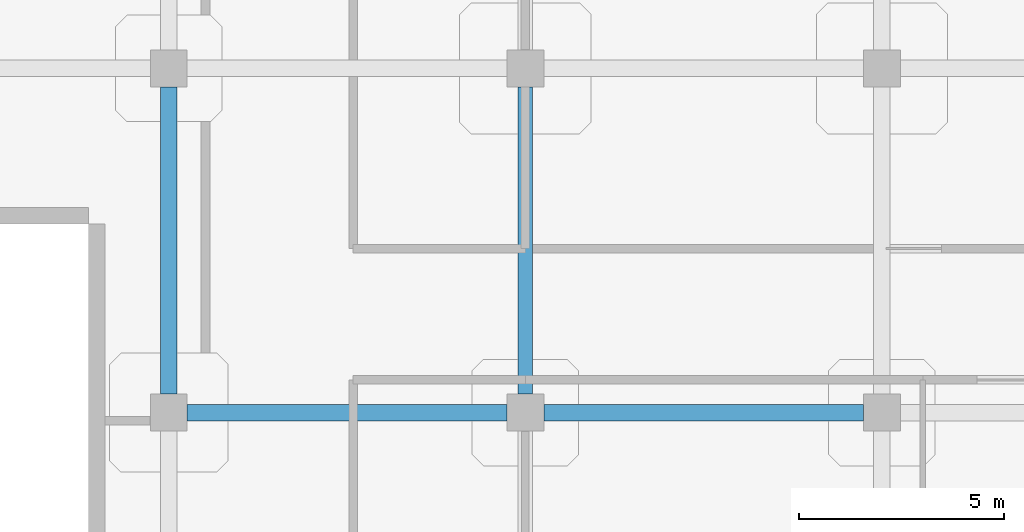
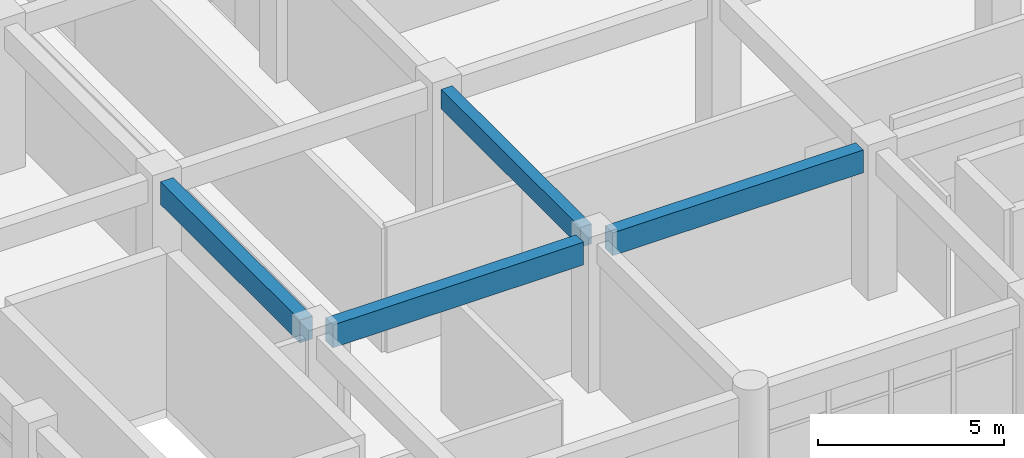
# One storey, part 32 of 120: 4 beams.
"""IFC4 building model written with IfcOpenShell, lengths in metres."""

from ifc_helpers import new_model, si_unit, derived_unit, direction, frame, origin, origin_2d, place, context, subcontext, project, spatial, rectangle, extrude, material, material_profile, profile_set, type_object, element, save


model = new_model("IFC4")

# Units and contexts
model_context = context("Model", 3, precision=1e-05, world=origin(), true_north=direction((0.0, 1.0)))
body_context = subcontext(model_context, "Body", "Model", "MODEL_VIEW")
ifc_project = project(units=[si_unit("LENGTHUNIT", "METRE"), si_unit("AREAUNIT", "SQUARE_METRE"), si_unit("VOLUMEUNIT", "CUBIC_METRE"), si_unit("PLANEANGLEUNIT", "RADIAN"), si_unit("MASSUNIT", "GRAM", prefix="KILO"), derived_unit("THERMALTRANSMITTANCEUNIT", [(si_unit("MASSUNIT", "GRAM", prefix="KILO"), 1), (si_unit("TIMEUNIT", "SECOND"), -3), (si_unit("THERMODYNAMICTEMPERATUREUNIT", "KELVIN"), -1)])], contexts=[model_context])

# Site, building, storey
site_placement = place(None, origin())
site = spatial("IfcSite", under=ifc_project, at=site_placement, CompositionType="ELEMENT")
building_placement = place(site_placement, origin())
building = spatial("IfcBuilding", under=site, at=building_placement, Name="Qinzheling Arcade Emporium", CompositionType="ELEMENT")
storey_placement = place(building_placement, frame((0.0, 0.0, 11.39990234375)))
storey = spatial("IfcBuildingStorey", under=building, at=storey_placement, Name="L03", CompositionType="ELEMENT", Elevation=11.39990234375)

# Beams
ifc_material = material(Name="Concrete C40", Category="concrete")
ifc_material_profile_1 = material_profile(ifc_material, rectangle(XDim=0.39990234375, YDim=0.75, at=origin_2d()), Name="RC 400x750", Category="concrete")
ifc_profile_set_1 = profile_set([ifc_material_profile_1], Name="Concrete C40")
beam_type_1 = type_object("IfcBeamType", Name="RC Interior Tie Beam 400x750 C40", PredefinedType="BEAM", material=ifc_profile_set_1)
for number, where, z_axis, x_axis, name in (
    (1, (113.550048828125, 8.39990234375, 4.445068359375), (1.0, 0.0, 0.0), (0.0, 1.0, 0.0), "Beam BM-L03-X-B-14"),
    (2, (122.25, 8.39990234375, 4.43017578125), (1.0, 0.0, 0.0), (0.0, 1.0, 0.0), "Beam BM-L03-X-B-15"),
):
    element("IfcBeam", number, at=place(storey_placement, frame(where, z_axis=z_axis, x_axis=x_axis)), inside=storey, type_object=beam_type_1, Name=name, PredefinedType="BEAM", context=body_context, shape_type="SweptSolid", body=[
        extrude(rectangle(XDim=0.39990234375, YDim=0.75, at=origin_2d()), origin(), (0.0, 0.0, 1.0), 7.800048828125),
    ])
beam_1_placement = place(storey_placement, frame((113.10009765625, 8.85009765625, 4.445068359375), z_axis=(0.0, 1.0, 0.0), x_axis=(-1.0, 0.0, 0.0)))
element("IfcBeam", 3, at=beam_1_placement, inside=storey, type_object=beam_type_1, Name="Beam BM-L03-Y-14-B", PredefinedType="BEAM", context=body_context, shape_type="SweptSolid", body=[
    extrude(rectangle(XDim=0.39990234375, YDim=0.75, at=origin_2d()), origin(), (0.0, 0.0, 1.0), 7.5),
])
ifc_material_profile_2 = material_profile(ifc_material, rectangle(XDim=0.35009765625, YDim=0.64990234375, at=origin_2d()), Name="RC 350x650", Category="concrete")
ifc_profile_set_2 = profile_set([ifc_material_profile_2], Name="Concrete C40")
beam_type_2 = type_object("IfcBeamType", Name="RC Spandrel Edge Beam 350x650 C40", PredefinedType="SPANDREL", material=ifc_profile_set_2)
beam_2_placement = place(storey_placement, frame((121.800048828125, 8.85009765625, 4.47998046875), z_axis=(0.0, 1.0, 0.0), x_axis=(-1.0, 0.0, 0.0)))
element("IfcBeam", 4, at=beam_2_placement, inside=storey, type_object=beam_type_2, Name="Beam BM-L03-Y-15-B", PredefinedType="SPANDREL", context=body_context, shape_type="SweptSolid", body=[
    extrude(rectangle(XDim=0.35009765625, YDim=0.64990234375, at=origin_2d()), origin(), (0.0, 0.0, 1.0), 7.5),
])

save(model, "model.ifc")
